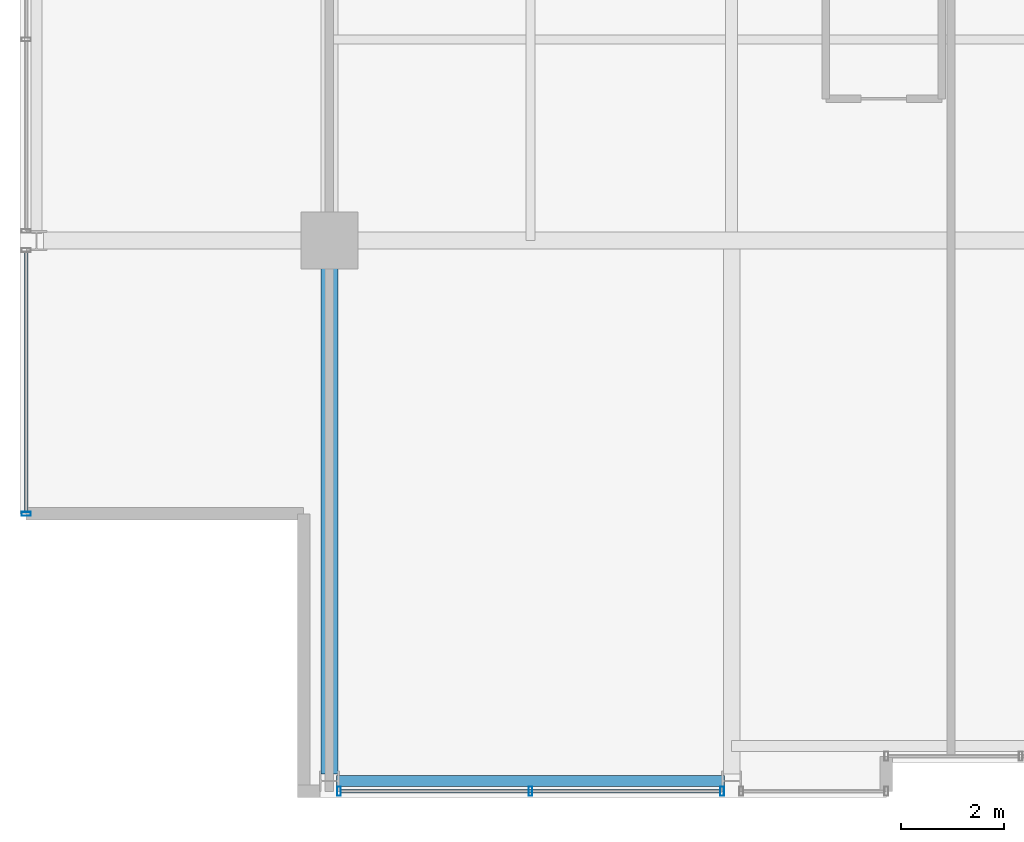
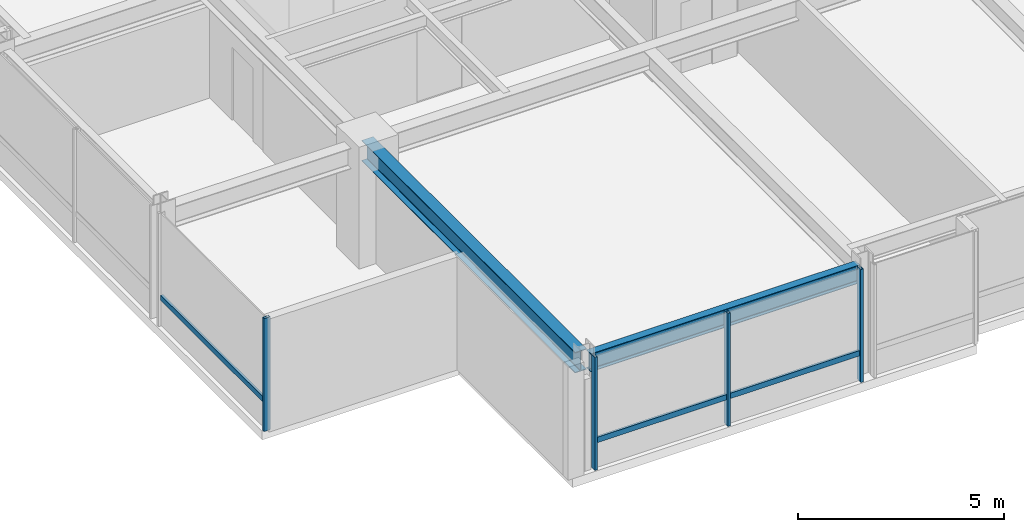
# One storey, part 2 of 31: 6 members, 2 beams, 2 elements without a shape of their own.
"""IFC4 building model written with IfcOpenShell, lengths in metres."""

from ifc_helpers import new_model, si_unit, direction, frame, origin, origin_2d, place, context, subcontext, project, spatial, hollow_rectangle, i_section, extrude, material, layer, layer_set, material_profile, profile_set, type_object, element, aggregate, save


model = new_model("IFC4")

# Units and contexts
model_context = context("Model", 3, precision=1e-05, world=origin(), true_north=direction((0.0, 1.0)))
body_context = subcontext(model_context, "Body", "Model", "MODEL_VIEW")
ifc_project = project(units=[si_unit("LENGTHUNIT", "METRE"), si_unit("AREAUNIT", "SQUARE_METRE"), si_unit("VOLUMEUNIT", "CUBIC_METRE"), si_unit("PLANEANGLEUNIT", "RADIAN"), si_unit("MASSUNIT", "GRAM", prefix="KILO")], contexts=[model_context])

# Site, building, storey
site_placement = place(None, origin())
site = spatial("IfcSite", under=ifc_project, at=site_placement, CompositionType="ELEMENT")
building_placement = place(site_placement, origin())
building = spatial("IfcBuilding", under=site, at=building_placement, Name="Drelvath Grand Hotel", CompositionType="ELEMENT")
storey_placement = place(building_placement, frame((0.0, 0.0, 219.5)))
storey = spatial("IfcBuildingStorey", under=building, at=storey_placement, Name="L57", CompositionType="ELEMENT", Elevation=219.5)

# Curtain wall, member
ifc_material_1 = material(Name="Platinum-Mist Anodised Aluminium Frame", Category="aluminium")
ifc_layer = layer(ifc_material_1, 0.199951171875)
ifc_layer_set = layer_set([ifc_layer], Name="Platinum-Mist Anodised Aluminium Frame")
curtain_wall_type = type_object("IfcCurtainWallType", Name="Stick Curtain Wall CW-05 Platinum Mist High-Rise", PredefinedType="NOTDEFINED", material=ifc_layer_set)
curtain_wall_1_placement = place(storey_placement, origin())
curtain_wall_1 = element("IfcCurtainWall", 1, at=curtain_wall_1_placement, inside=storey, type_object=curtain_wall_type, Name="L57 CW-05 Curtain Wall CW05-L57-WS1", PredefinedType="NOTDEFINED")
ifc_material_profile_1 = material_profile(ifc_material_1, hollow_rectangle(XDim=0.06494140625, YDim=0.159912109375, WallThickness=0.00390625, at=origin_2d()), Name="HSS160X65X4")
ifc_profile_set_1 = profile_set([ifc_material_profile_1], Name="Platinum-Mist Anodised Aluminium Frame")
member_type_1 = type_object("IfcMemberType", Name="Curtain Wall Horizontal Transom CW-05 HSS160X65X4", PredefinedType="USERDEFINED", material=ifc_profile_set_1)
member_1_placement = place(storey_placement, frame((-22.080078125, 5.5400390625, 0.8349609375), z_axis=(0.0, 1.0, 0.0), x_axis=(-1.0, 0.0, 0.0)))
member_1 = element("IfcMember", 2, at=member_1_placement, type_object=member_type_1, Name="CW05-L57-WS1 Sill Transom", ObjectType="TRANSOM", PredefinedType="USERDEFINED", context=body_context, shape_type="SweptSolid", body=[
    extrude(hollow_rectangle(XDim=0.06494140625, YDim=0.159912109375, WallThickness=0.00390625, at=origin_2d()), origin(), (0.0, 0.0, 1.0), 5.03466796875),
])

curtain_wall_2_placement = place(storey_placement, origin())
curtain_wall_2 = element("IfcCurtainWall", 3, at=curtain_wall_2_placement, inside=storey, type_object=curtain_wall_type, Name="L57 CW-05 Curtain Wall CW05-L57-SW2", PredefinedType="NOTDEFINED")
member_2_placement = place(storey_placement, frame((-8.625244140625, 0.1201171875, 0.8349609375), z_axis=(-1.0, 0.0, 0.0), x_axis=(0.0, -1.0, 0.0)))
member_2 = element("IfcMember", 4, at=member_2_placement, type_object=member_type_1, Name="CW05-L57-SW2 Sill Transom", ObjectType="TRANSOM", PredefinedType="USERDEFINED", context=body_context, shape_type="SweptSolid", body=[
    extrude(hollow_rectangle(XDim=0.06494140625, YDim=0.159912109375, WallThickness=0.00390625, at=origin_2d()), origin(), (0.0, 0.0, 1.0), 7.349365234375),
])

# Member
ifc_material_profile_2 = material_profile(ifc_material_1, hollow_rectangle(XDim=0.074951171875, YDim=0.179931640625, WallThickness=0.0048828125, at=origin_2d()), Name="HSS180X75X5")
ifc_profile_set_2 = profile_set([ifc_material_profile_2], Name="Platinum-Mist Anodised Aluminium Frame")
member_type_2 = type_object("IfcMemberType", Name="Curtain Wall Vertical Mullion CW-05 HSS180X75X5", PredefinedType="MULLION", material=ifc_profile_set_2)
member_3_placement = place(storey_placement, frame((-22.080078125, 5.5, 0.0), z_axis=(0.0, 0.0, 1.0), x_axis=(0.0, 1.0, 0.0)))
member_3 = element("IfcMember", 5, at=member_3_placement, type_object=member_type_2, Name="CW05-L57-WS1 Mullion 1", PredefinedType="MULLION", context=body_context, shape_type="SweptSolid", body=[
    extrude(hollow_rectangle(XDim=0.074951171875, YDim=0.179931640625, WallThickness=0.0048828125, at=origin_2d()), origin(), (0.0, 0.0, 1.0), 3.340087890625),
])

aggregate(curtain_wall_1, [member_3, member_1])

member_4_placement = place(storey_placement, frame((-8.585205078125, 0.1201171875, 0.0), z_axis=(0.0, 0.0, 1.0), x_axis=(1.0, 0.0, 0.0)))
member_4 = element("IfcMember", 6, at=member_4_placement, type_object=member_type_2, Name="CW05-L57-SW2 Mullion 1", PredefinedType="MULLION", context=body_context, shape_type="SweptSolid", body=[
    extrude(hollow_rectangle(XDim=0.074951171875, YDim=0.179931640625, WallThickness=0.0048828125, at=origin_2d()), origin(), (0.0, 0.0, 1.0), 3.340087890625),
])

member_5_placement = place(storey_placement, frame((-12.300048828125, 0.1201171875, 0.0), z_axis=(0.0, 0.0, 1.0), x_axis=(1.0, 0.0, 0.0)))
member_5 = element("IfcMember", 7, at=member_5_placement, type_object=member_type_2, Name="CW05-L57-SW2 Mullion 2", PredefinedType="MULLION", context=body_context, shape_type="SweptSolid", body=[
    extrude(hollow_rectangle(XDim=0.074951171875, YDim=0.179931640625, WallThickness=0.0048828125, at=origin_2d()), origin(), (0.0, 0.0, 1.0), 3.340087890625),
])

member_6_placement = place(storey_placement, frame((-16.0146484375, 0.1201171875, 0.0), z_axis=(0.0, 0.0, 1.0), x_axis=(1.0, 0.0, 0.0)))
member_6 = element("IfcMember", 8, at=member_6_placement, type_object=member_type_2, Name="CW05-L57-SW2 Mullion 3", PredefinedType="MULLION", context=body_context, shape_type="SweptSolid", body=[
    extrude(hollow_rectangle(XDim=0.074951171875, YDim=0.179931640625, WallThickness=0.0048828125, at=origin_2d()), origin(), (0.0, 0.0, 1.0), 3.340087890625),
])

aggregate(curtain_wall_2, [member_4, member_5, member_6, member_2])

# Beams
ifc_material_2 = material(Name="Steel ASTM A992 Gr 50", Category="steel")
ifc_material_profile_3 = material_profile(ifc_material_2, i_section(OverallWidth=0.210205078125, OverallDepth=0.53662109375, WebThickness=0.010986328125, FlangeThickness=0.017333984375, FilletRadius=0.01806640625, at=origin_2d()), Name="W21X68")
ifc_profile_set_3 = profile_set([ifc_material_profile_3], Name="Steel ASTM A992 Gr 50")
beam_type_1 = type_object("IfcBeamType", Name="Perimeter Spandrel Beam W21X68", PredefinedType="SPANDREL", material=ifc_profile_set_3)
beam_1_placement = place(storey_placement, frame((-16.06005859375, 0.320068359375, 3.07177734375), z_axis=(1.0, 0.0, 0.0), x_axis=(0.0, 1.0, 0.0)))
element("IfcBeam", 9, at=beam_1_placement, inside=storey, type_object=beam_type_1, Name="L57 Spandrel South W", PredefinedType="SPANDREL", context=body_context, shape_type="SweptSolid", body=[
    extrude(i_section(OverallWidth=0.210205078125, OverallDepth=0.53662109375, WebThickness=0.010986328125, FlangeThickness=0.017333984375, FilletRadius=0.01806640625, at=origin_2d()), origin(), (0.0, 0.0, 1.0), 7.52001953125),
])
ifc_material_profile_4 = material_profile(ifc_material_2, i_section(OverallWidth=0.323974609375, OverallDepth=0.611083984375, WebThickness=0.0126953125, FlangeThickness=0.01904296875, FilletRadius=0.02197265625, at=origin_2d()), Name="W24X104")
ifc_profile_set_4 = profile_set([ifc_material_profile_4], Name="Steel ASTM A992 Gr 50")
beam_type_2 = type_object("IfcBeamType", Name="Primary Floor Girder W24X104", PredefinedType="BEAM", material=ifc_profile_set_4)
beam_2_placement = place(storey_placement, frame((-16.199951171875, 0.4599609375, 3.034423828125), z_axis=(0.0, 1.0, 0.0), x_axis=(-1.0, 0.0, 0.0)))
element("IfcBeam", 10, at=beam_2_placement, inside=storey, type_object=beam_type_2, Name="L57 South Grid Girder 3", PredefinedType="BEAM", context=body_context, shape_type="SweptSolid", body=[
    extrude(i_section(OverallWidth=0.323974609375, OverallDepth=0.611083984375, WebThickness=0.0126953125, FlangeThickness=0.01904296875, FilletRadius=0.02197265625, at=origin_2d()), origin(), (0.0, 0.0, 1.0), 10.340087890625),
])

save(model, "model.ifc")
